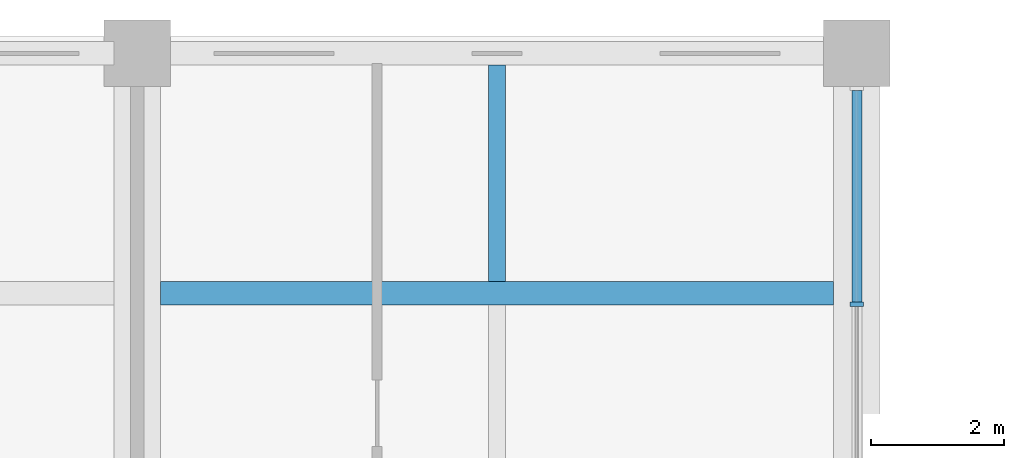
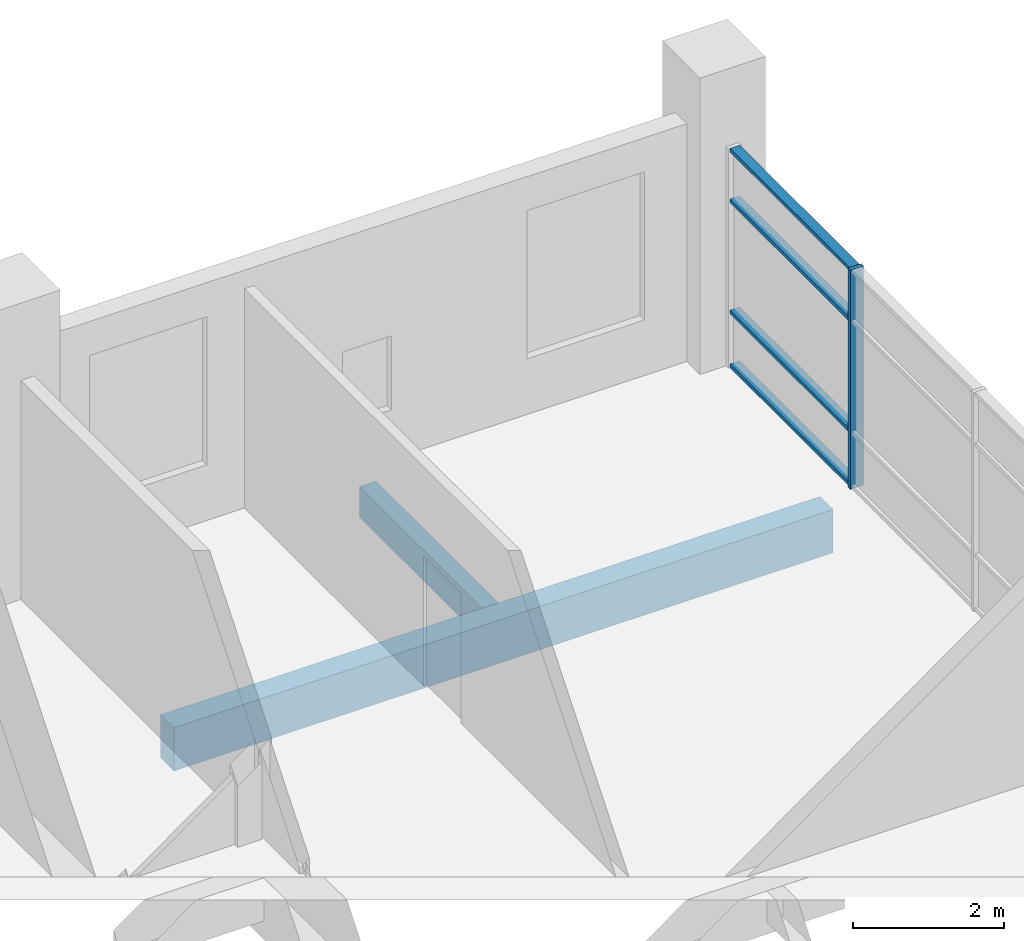
# One storey, part 10 of 30: 5 members, 2 beams, 1 element without a shape of its own.
"""IFC4 building model written with IfcOpenShell, lengths in metres."""

from ifc_helpers import new_model, si_unit, direction, frame, origin, origin_2d, place, context, subcontext, project, spatial, rectangle, extrude, material, layer, layer_set, material_profile, profile_set, type_object, element, aggregate, save


model = new_model("IFC4")

# Units and contexts
model_context = context("Model", 3, precision=1e-05, world=origin(), true_north=direction((0.0, 1.0)))
body_context = subcontext(model_context, "Body", "Model", "MODEL_VIEW")
ifc_project = project(units=[si_unit("LENGTHUNIT", "METRE"), si_unit("AREAUNIT", "SQUARE_METRE"), si_unit("VOLUMEUNIT", "CUBIC_METRE"), si_unit("PLANEANGLEUNIT", "RADIAN"), si_unit("MASSUNIT", "GRAM", prefix="KILO")], contexts=[model_context])

# Site, building, storey
site_placement = place(None, origin())
site = spatial("IfcSite", under=ifc_project, at=site_placement, CompositionType="ELEMENT")
building_placement = place(site_placement, origin())
building = spatial("IfcBuilding", under=site, at=building_placement, Name="Basin Gate Institute", CompositionType="ELEMENT")
storey_placement = place(building_placement, frame((0.0, 0.0, 36.60009765625)))
storey = spatial("IfcBuildingStorey", under=building, at=storey_placement, Name="L07", CompositionType="ELEMENT", Elevation=36.60009765625)

# Beam
ifc_material_1 = material(Name="Concrete 40 MPa", Category="concrete")
ifc_material_profile_1 = material_profile(ifc_material_1, rectangle(XDim=0.35009765625, YDim=0.699951171875, at=origin_2d()), Name="Beam B1 350 x 700")
ifc_profile_set_1 = profile_set([ifc_material_profile_1], Name="Concrete 40 MPa")
beam_type_1 = type_object("IfcBeamType", Name="Beam B1 R120", PredefinedType="BEAM", material=ifc_profile_set_1)
beam_1_placement = place(storey_placement, frame((68.75, 96.300048828125, -0.60009765625), z_axis=(1.0, 0.0, 0.0), x_axis=(0.0, 1.0, 0.0)))
element("IfcBeam", 1, at=beam_1_placement, inside=storey, type_object=beam_type_1, material=ifc_profile_set_1, Name="BEAM/L07/W/EW/18", PredefinedType="BEAM", context=body_context, shape_type="SweptSolid", body=[
    extrude(rectangle(XDim=0.35009765625, YDim=0.699951171875, at=origin_2d()), origin(), (0.0, 0.0, 1.0), 10.10009765625),
])

# Curtain wall, member
ifc_material_2 = material(Name="Aluminium-framed glazing", Category="aluminium")
ifc_layer = layer(ifc_material_2, 0.199951171875)
ifc_layer_set = layer_set([ifc_layer], Name="Atrium curtain wall CW2")
curtain_wall_type = type_object("IfcCurtainWallType", Name="Atrium curtain wall CW2", PredefinedType="NOTDEFINED", material=ifc_layer_set)
curtain_wall_placement = place(storey_placement, origin())
curtain_wall = element("IfcCurtainWall", 2, at=curtain_wall_placement, inside=storey, type_object=curtain_wall_type, material=ifc_layer_set, Name="Atrium curtain wall W wing atrium bay 6 L07", PredefinedType="NOTDEFINED")
ifc_material_3 = material(Name="Aluminium", Category="aluminium")
ifc_material_profile_2 = material_profile(ifc_material_3, rectangle(XDim=0.199951171875, YDim=0.06005859375, at=origin_2d()), Name="Mullion MU2 200 x 60")
ifc_profile_set_2 = profile_set([ifc_material_profile_2], Name="Aluminium")
member_type_1 = type_object("IfcMemberType", Name="Mullion MU2", PredefinedType="MULLION", material=ifc_profile_set_2)
member_1_placement = place(storey_placement, frame((79.199951171875, 96.13330078125, 0.0), z_axis=(0.0, 0.0, 1.0), x_axis=(-1.0, 0.0, 0.0)))
member_1 = element("IfcMember", 3, at=member_1_placement, type_object=member_type_1, material=ifc_profile_set_2, Name="CW2 mullion 3", PredefinedType="MULLION", context=body_context, shape_type="SweptSolid", body=[
    extrude(rectangle(XDim=0.199951171875, YDim=0.06005859375, at=origin_2d()), origin(), (0.0, 0.0, 1.0), 3.5498046875),
])

# Beam
ifc_material_4 = material(Name="Concrete 40 MPa", Category="concrete")
ifc_material_profile_3 = material_profile(ifc_material_4, rectangle(XDim=0.25, YDim=0.5, at=origin_2d()), Name="Rib R1 250 x 500")
ifc_profile_set_3 = profile_set([ifc_material_profile_3], Name="Concrete 40 MPa")
beam_type_2 = type_object("IfcBeamType", Name="Rib R1 R120", PredefinedType="JOIST", material=ifc_profile_set_3)
beam_2_placement = place(storey_placement, frame((73.800048828125, 96.47509765625, -0.5), z_axis=(0.0, 1.0, 0.0), x_axis=(-1.0, 0.0, 0.0)))
element("IfcBeam", 4, at=beam_2_placement, inside=storey, type_object=beam_type_2, material=ifc_profile_set_3, Name="BEAM/L07/W/RIB/18", PredefinedType="JOIST", context=body_context, shape_type="SweptSolid", body=[
    extrude(rectangle(XDim=0.25, YDim=0.5, at=origin_2d()), origin(), (0.0, 0.0, 1.0), 3.25),
])

# Member
ifc_material_5 = material(Name="Aluminium", Category="aluminium")
ifc_material_profile_4 = material_profile(ifc_material_5, rectangle(XDim=0.14990234375, YDim=0.06005859375, at=origin_2d()), Name="Transom TR2 150 x 60")
ifc_profile_set_4 = profile_set([ifc_material_profile_4], Name="Aluminium")
member_type_2 = type_object("IfcMemberType", Name="Transom TR2", PredefinedType="USERDEFINED", material=ifc_profile_set_4)
member_2_placement = place(storey_placement, frame((79.199951171875, 96.163330078125, 0.02978515625), z_axis=(0.0, 1.0, 0.0), x_axis=(-1.0, 0.0, 0.0)))
member_2 = element("IfcMember", 5, at=member_2_placement, type_object=member_type_2, material=ifc_profile_set_4, Name="CW2 transom 3.1", ObjectType="TRANSOM", PredefinedType="USERDEFINED", context=body_context, shape_type="SweptSolid", body=[
    extrude(rectangle(XDim=0.14990234375, YDim=0.06005859375, at=origin_2d()), origin(), (0.0, 0.0, 1.0), 3.1767578125),
])

member_3_placement = place(storey_placement, frame((79.199951171875, 96.163330078125, 0.89990234375), z_axis=(0.0, 1.0, 0.0), x_axis=(-1.0, 0.0, 0.0)))
member_3 = element("IfcMember", 6, at=member_3_placement, type_object=member_type_2, material=ifc_profile_set_4, Name="CW2 transom 3.2", ObjectType="TRANSOM", PredefinedType="USERDEFINED", context=body_context, shape_type="SweptSolid", body=[
    extrude(rectangle(XDim=0.14990234375, YDim=0.06005859375, at=origin_2d()), origin(), (0.0, 0.0, 1.0), 3.1767578125),
])

member_4_placement = place(storey_placement, frame((79.199951171875, 96.163330078125, 2.699951171875), z_axis=(0.0, 1.0, 0.0), x_axis=(-1.0, 0.0, 0.0)))
member_4 = element("IfcMember", 7, at=member_4_placement, type_object=member_type_2, material=ifc_profile_set_4, Name="CW2 transom 3.3", ObjectType="TRANSOM", PredefinedType="USERDEFINED", context=body_context, shape_type="SweptSolid", body=[
    extrude(rectangle(XDim=0.14990234375, YDim=0.06005859375, at=origin_2d()), origin(), (0.0, 0.0, 1.0), 3.1767578125),
])

member_5_placement = place(storey_placement, frame((79.199951171875, 96.163330078125, 3.52001953125), z_axis=(0.0, 1.0, 0.0), x_axis=(-1.0, 0.0, 0.0)))
member_5 = element("IfcMember", 8, at=member_5_placement, type_object=member_type_2, material=ifc_profile_set_4, Name="CW2 transom 3.4", ObjectType="TRANSOM", PredefinedType="USERDEFINED", context=body_context, shape_type="SweptSolid", body=[
    extrude(rectangle(XDim=0.14990234375, YDim=0.06005859375, at=origin_2d()), origin(), (0.0, 0.0, 1.0), 3.1767578125),
])

aggregate(curtain_wall, [member_1, member_2, member_3, member_4, member_5])

save(model, "model.ifc")
